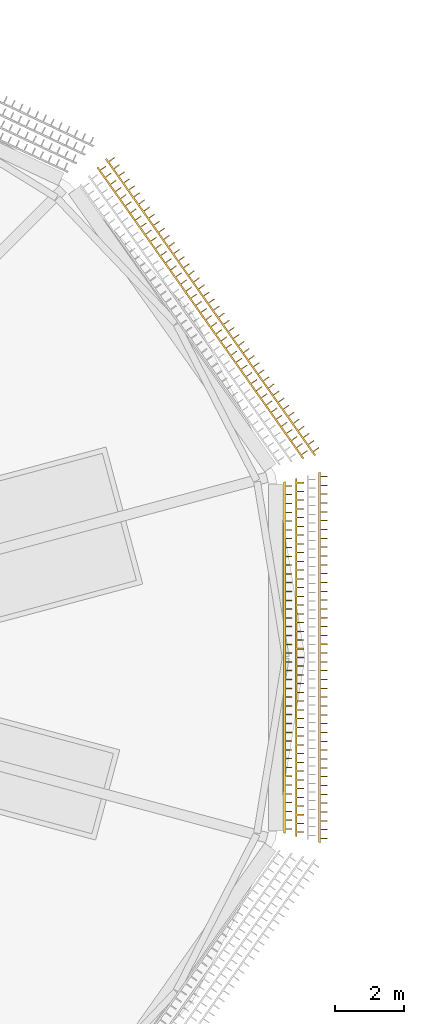
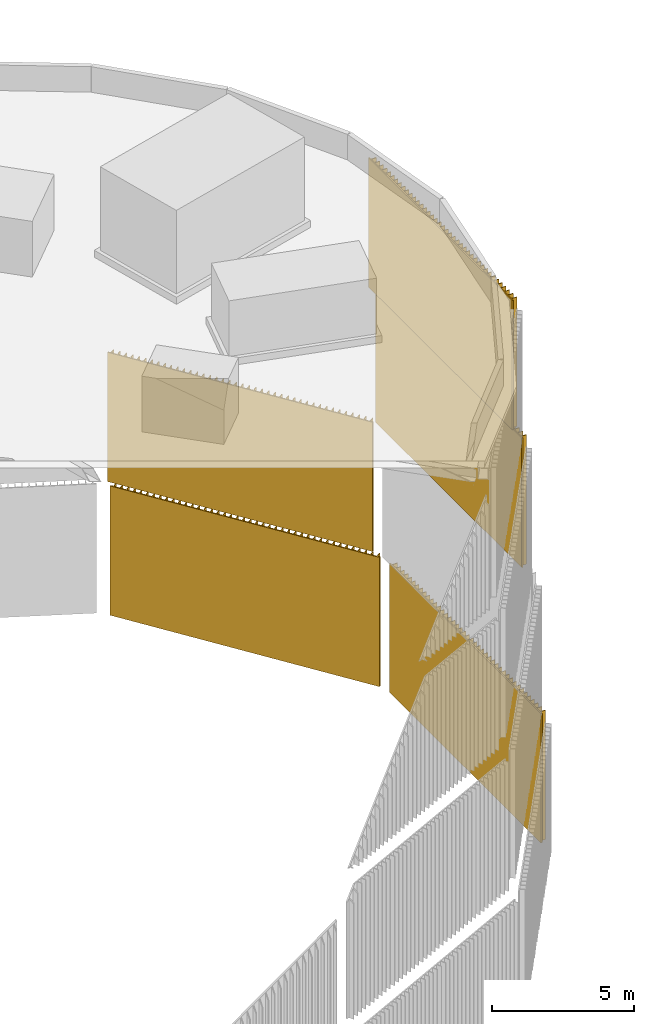
# One storey, part 9 of 24: 5 coverings.
"""IFC4 building model written with IfcOpenShell, lengths in metres."""

from ifc_helpers import new_model, si_unit, direction, frame, origin, place, context, subcontext, project, spatial, polyline, outline, extrude, material, type_object, element, save


model = new_model("IFC4")

# Units and contexts
model_context = context("Model", 3, precision=1e-05, world=origin(), true_north=direction((0.0, 1.0)))
body_context = subcontext(model_context, "Body", "Model", "MODEL_VIEW")
ifc_project = project(units=[si_unit("LENGTHUNIT", "METRE"), si_unit("AREAUNIT", "SQUARE_METRE"), si_unit("VOLUMEUNIT", "CUBIC_METRE"), si_unit("PLANEANGLEUNIT", "RADIAN"), si_unit("MASSUNIT", "GRAM", prefix="KILO")], contexts=[model_context])

# Site, building, storey
site_placement = place(None, origin())
site = spatial("IfcSite", under=ifc_project, at=site_placement, CompositionType="ELEMENT")
building_placement = place(site_placement, origin())
building = spatial("IfcBuilding", under=site, at=building_placement, Name="Rimbun Link Towers", CompositionType="ELEMENT")
storey_placement = place(building_placement, frame((0.0, 0.0, 294.89990234375)))
storey = spatial("IfcBuildingStorey", under=building, at=storey_placement, Name="Roof cap", CompositionType="ELEMENT", Elevation=294.89990234375)

# Coverings
ifc_material = material(Name="Terracotta", Category="masonry")
covering_type = type_object("IfcCoveringType", Name="TERRACOTTA CLADDING screen fins", PredefinedType="CLADDING", material=ifc_material)
covering_1_placement = place(storey_placement, frame((0.0, 0.0, -23.087890625)))
element("IfcCovering", 1, at=covering_1_placement, inside=storey, type_object=covering_type, Name="TERRACOTTA CLADDING screen", PredefinedType="CLADDING", context=body_context, shape_type="SweptSolid", body=[
    extrude(outline(polyline([(-10.90625, 5.847900390625), (-10.9697265625, 5.93798828125), (-10.806396484375, 6.05322265625), (-10.823486328125, 6.07763671875), (-10.987060546875, 5.96240234375), (-11.11376953125, 6.142333984375), (-10.9501953125, 6.257568359375), (-10.967529296875, 6.281982421875), (-11.131103515625, 6.1669921875), (-11.2578125, 6.3466796875), (-11.094482421875, 6.4619140625), (-11.11181640625, 6.486572265625), (-11.275146484375, 6.371337890625), (-11.40185546875, 6.55126953125), (-11.238525390625, 6.66650390625), (-11.255615234375, 6.69091796875), (-11.419189453125, 6.57568359375), (-11.5458984375, 6.755615234375), (-11.382568359375, 6.870849609375), (-11.39990234375, 6.8955078125), (-11.563232421875, 6.7802734375), (-11.690185546875, 6.960205078125), (-11.526611328125, 7.0751953125), (-11.5439453125, 7.099853515625), (-11.707275390625, 6.984619140625), (-11.833984375, 7.16455078125), (-11.670654296875, 7.27978515625), (-11.68798828125, 7.30419921875), (-11.851318359375, 7.18896484375), (-11.978271484375, 7.368896484375), (-11.814697265625, 7.484130859375), (-11.83203125, 7.508544921875), (-11.99560546875, 7.393310546875), (-12.122314453125, 7.5732421875), (-11.958740234375, 7.6884765625), (-11.97607421875, 7.713134765625), (-12.1396484375, 7.597900390625), (-12.266357421875, 7.77783203125), (-12.102783203125, 7.89306640625), (-12.1201171875, 7.91748046875), (-12.28369140625, 7.80224609375), (-12.410400390625, 7.982177734375), (-12.246826171875, 8.097412109375), (-12.26416015625, 8.121826171875), (-12.427734375, 8.006591796875), (-12.554443359375, 8.1865234375), (-12.39111328125, 8.3017578125), (-12.408203125, 8.326416015625), (-12.57177734375, 8.211181640625), (-12.698486328125, 8.39111328125), (-12.53515625, 8.506103515625), (-12.55224609375, 8.53076171875), (-12.7158203125, 8.41552734375), (-12.842529296875, 8.595458984375), (-12.67919921875, 8.710693359375), (-12.6962890625, 8.735107421875), (-12.85986328125, 8.619873046875), (-12.98681640625, 8.7998046875), (-12.8232421875, 8.9150390625), (-12.840576171875, 8.939697265625), (-13.00390625, 8.824462890625), (-13.130615234375, 9.00439453125), (-12.96728515625, 9.119384765625), (-12.984619140625, 9.14404296875), (-13.14794921875, 9.02880859375), (-13.27490234375, 9.208740234375), (-13.111328125, 9.323974609375), (-13.128662109375, 9.348388671875), (-13.2919921875, 9.233154296875), (-13.4189453125, 9.4130859375), (-13.25537109375, 9.5283203125), (-13.272705078125, 9.552734375), (-13.436279296875, 9.4375), (-13.56298828125, 9.617431640625), (-13.3994140625, 9.732666015625), (-13.416748046875, 9.75732421875), (-13.580078125, 9.64208984375), (-13.70703125, 9.822021484375), (-13.54345703125, 9.937255859375), (-13.560791015625, 9.961669921875), (-13.724365234375, 9.846435546875), (-13.85107421875, 10.0263671875), (-13.6875, 10.1416015625), (-13.704833984375, 10.166015625), (-13.868408203125, 10.05078125), (-13.9951171875, 10.230712890625), (-13.831787109375, 10.345947265625), (-13.848876953125, 10.37060546875), (-14.012451171875, 10.25537109375), (-14.13916015625, 10.435302734375), (-13.9755859375, 10.55029296875), (-13.992919921875, 10.574951171875), (-14.156494140625, 10.459716796875), (-14.283203125, 10.6396484375), (-14.119873046875, 10.7548828125), (-14.13720703125, 10.779296875), (-14.300537109375, 10.6640625), (-14.42724609375, 10.843994140625), (-14.263916015625, 10.959228515625), (-14.281005859375, 10.98388671875), (-14.444580078125, 10.86865234375), (-14.5712890625, 11.048583984375), (-14.407958984375, 11.163818359375), (-14.42529296875, 11.188232421875), (-14.588623046875, 11.072998046875), (-14.715576171875, 11.2529296875), (-14.552001953125, 11.3681640625), (-14.5693359375, 11.392578125), (-14.73291015625, 11.27734375), (-14.859619140625, 11.457275390625), (-14.696044921875, 11.572509765625), (-14.71337890625, 11.596923828125), (-14.876708984375, 11.481689453125), (-15.003662109375, 11.66162109375), (-14.840087890625, 11.77685546875), (-14.857421875, 11.801513671875), (-15.02099609375, 11.686279296875), (-15.147705078125, 11.8662109375), (-14.984130859375, 11.981201171875), (-15.00146484375, 12.005859375), (-15.1650390625, 11.890625), (-15.291748046875, 12.070556640625), (-15.12841796875, 12.185791015625), (-15.1455078125, 12.210205078125), (-15.30908203125, 12.09521484375), (-15.435791015625, 12.27490234375), (-15.272216796875, 12.39013671875), (-15.28955078125, 12.414794921875), (-15.453125, 12.299560546875), (-15.579833984375, 12.4794921875), (-15.41650390625, 12.594482421875), (-15.43359375, 12.619140625), (-15.59716796875, 12.50390625), (-15.72412109375, 12.683837890625), (-15.560546875, 12.799072265625), (-15.577880859375, 12.823486328125), (-15.7412109375, 12.708251953125), (-15.867919921875, 12.88818359375), (-15.70458984375, 13.00341796875), (-15.7216796875, 13.028076171875), (-15.88525390625, 12.91259765625), (-16.01220703125, 13.092529296875), (-15.8486328125, 13.2080078125), (-15.865966796875, 13.232421875), (-16.029296875, 13.1171875), (-16.15625, 13.297119140625), (-15.99267578125, 13.412353515625), (-16.010009765625, 13.436767578125), (-16.17333984375, 13.321533203125), (-16.30029296875, 13.50146484375), (-16.13671875, 13.61669921875), (-16.154052734375, 13.64111328125), (-16.3173828125, 13.52587890625), (-16.4443359375, 13.705810546875), (-16.28076171875, 13.821044921875), (-16.298095703125, 13.845703125), (-16.461669921875, 13.73046875), (-16.58837890625, 13.910400390625), (-16.4248046875, 14.025390625), (-16.442138671875, 14.050048828125), (-16.605712890625, 13.934814453125), (-16.732421875, 14.11474609375), (-16.56884765625, 14.22998046875), (-16.586181640625, 14.25439453125), (-16.749755859375, 14.139404296875), (-16.87646484375, 14.319091796875), (-16.712890625, 14.434326171875), (-16.730224609375, 14.458984375), (-16.893798828125, 14.34375), (-16.957275390625, 14.43359375), (-16.992919921875, 14.397705078125), (-10.957763671875, 5.834228515625), (-10.90625, 5.847900390625)])), origin(), (0.0, 0.0, 1.0), 5.575927734375),
])
covering_2_placement = place(storey_placement, frame((0.0, 0.0, -23.087890625)))
element("IfcCovering", 2, at=covering_2_placement, inside=storey, type_object=covering_type, Name="TERRACOTTA CLADDING screen", PredefinedType="CLADDING", context=body_context, shape_type="SweptSolid", body=[
    extrude(outline(polyline([(-10.7763671875, -5.35693359375), (-10.7763671875, -5.244384765625), (-10.576416015625, -5.244384765625), (-10.576416015625, -5.21435546875), (-10.7763671875, -5.21435546875), (-10.7763671875, -4.9892578125), (-10.576416015625, -4.9892578125), (-10.576416015625, -4.959228515625), (-10.7763671875, -4.959228515625), (-10.7763671875, -4.734130859375), (-10.576416015625, -4.734130859375), (-10.576416015625, -4.7041015625), (-10.7763671875, -4.7041015625), (-10.7763671875, -4.47900390625), (-10.576416015625, -4.47900390625), (-10.576416015625, -4.44921875), (-10.7763671875, -4.44921875), (-10.7763671875, -4.22412109375), (-10.576416015625, -4.22412109375), (-10.576416015625, -4.194091796875), (-10.7763671875, -4.194091796875), (-10.7763671875, -3.968994140625), (-10.576416015625, -3.968994140625), (-10.576416015625, -3.93896484375), (-10.7763671875, -3.93896484375), (-10.7763671875, -3.7138671875), (-10.576416015625, -3.7138671875), (-10.576416015625, -3.683837890625), (-10.7763671875, -3.683837890625), (-10.7763671875, -3.458740234375), (-10.576416015625, -3.458740234375), (-10.576416015625, -3.4287109375), (-10.7763671875, -3.4287109375), (-10.7763671875, -3.20361328125), (-10.576416015625, -3.20361328125), (-10.576416015625, -3.173583984375), (-10.7763671875, -3.173583984375), (-10.7763671875, -2.948486328125), (-10.576416015625, -2.948486328125), (-10.576416015625, -2.918701171875), (-10.7763671875, -2.918701171875), (-10.7763671875, -2.693603515625), (-10.576416015625, -2.693603515625), (-10.576416015625, -2.66357421875), (-10.7763671875, -2.66357421875), (-10.7763671875, -2.4384765625), (-10.576416015625, -2.4384765625), (-10.576416015625, -2.408447265625), (-10.7763671875, -2.408447265625), (-10.7763671875, -2.183349609375), (-10.576416015625, -2.183349609375), (-10.576416015625, -2.1533203125), (-10.7763671875, -2.1533203125), (-10.7763671875, -1.92822265625), (-10.576416015625, -1.92822265625), (-10.576416015625, -1.898193359375), (-10.7763671875, -1.898193359375), (-10.7763671875, -1.673095703125), (-10.576416015625, -1.673095703125), (-10.576416015625, -1.64306640625), (-10.7763671875, -1.64306640625), (-10.7763671875, -1.41796875), (-10.576416015625, -1.41796875), (-10.576416015625, -1.387939453125), (-10.7763671875, -1.387939453125), (-10.7763671875, -1.162841796875), (-10.576416015625, -1.162841796875), (-10.576416015625, -1.1328125), (-10.7763671875, -1.1328125), (-10.7763671875, -0.90771484375), (-10.576416015625, -0.90771484375), (-10.576416015625, -0.877685546875), (-10.7763671875, -0.877685546875), (-10.7763671875, -0.652587890625), (-10.576416015625, -0.652587890625), (-10.576416015625, -0.622802734375), (-10.7763671875, -0.622802734375), (-10.7763671875, -0.397705078125), (-10.576416015625, -0.397705078125), (-10.576416015625, -0.36767578125), (-10.7763671875, -0.36767578125), (-10.7763671875, -0.142578125), (-10.576416015625, -0.142578125), (-10.576416015625, -0.112548828125), (-10.7763671875, -0.112548828125), (-10.7763671875, 0.112548828125), (-10.576416015625, 0.112548828125), (-10.576416015625, 0.142578125), (-10.7763671875, 0.142578125), (-10.7763671875, 0.36767578125), (-10.576416015625, 0.36767578125), (-10.576416015625, 0.397705078125), (-10.7763671875, 0.397705078125), (-10.7763671875, 0.622802734375), (-10.576416015625, 0.622802734375), (-10.576416015625, 0.652587890625), (-10.7763671875, 0.652587890625), (-10.7763671875, 0.877685546875), (-10.576416015625, 0.877685546875), (-10.576416015625, 0.90771484375), (-10.7763671875, 0.90771484375), (-10.7763671875, 1.1328125), (-10.576416015625, 1.1328125), (-10.576416015625, 1.162841796875), (-10.7763671875, 1.162841796875), (-10.7763671875, 1.387939453125), (-10.576416015625, 1.387939453125), (-10.576416015625, 1.41796875), (-10.7763671875, 1.41796875), (-10.7763671875, 1.64306640625), (-10.576416015625, 1.64306640625), (-10.576416015625, 1.673095703125), (-10.7763671875, 1.673095703125), (-10.7763671875, 1.898193359375), (-10.576416015625, 1.898193359375), (-10.576416015625, 1.92822265625), (-10.7763671875, 1.92822265625), (-10.7763671875, 2.1533203125), (-10.576416015625, 2.1533203125), (-10.576416015625, 2.183349609375), (-10.7763671875, 2.183349609375), (-10.7763671875, 2.408447265625), (-10.576416015625, 2.408447265625), (-10.576416015625, 2.4384765625), (-10.7763671875, 2.4384765625), (-10.7763671875, 2.66357421875), (-10.576416015625, 2.66357421875), (-10.576416015625, 2.693603515625), (-10.7763671875, 2.693603515625), (-10.7763671875, 2.918701171875), (-10.576416015625, 2.918701171875), (-10.576416015625, 2.948486328125), (-10.7763671875, 2.948486328125), (-10.7763671875, 3.173583984375), (-10.576416015625, 3.173583984375), (-10.576416015625, 3.20361328125), (-10.7763671875, 3.20361328125), (-10.7763671875, 3.4287109375), (-10.576416015625, 3.4287109375), (-10.576416015625, 3.458740234375), (-10.7763671875, 3.458740234375), (-10.7763671875, 3.683837890625), (-10.576416015625, 3.683837890625), (-10.576416015625, 3.7138671875), (-10.7763671875, 3.7138671875), (-10.7763671875, 3.93896484375), (-10.576416015625, 3.93896484375), (-10.576416015625, 3.968994140625), (-10.7763671875, 3.968994140625), (-10.7763671875, 4.194091796875), (-10.576416015625, 4.194091796875), (-10.576416015625, 4.22412109375), (-10.7763671875, 4.22412109375), (-10.7763671875, 4.44921875), (-10.576416015625, 4.44921875), (-10.576416015625, 4.47900390625), (-10.7763671875, 4.47900390625), (-10.7763671875, 4.7041015625), (-10.576416015625, 4.7041015625), (-10.576416015625, 4.734130859375), (-10.7763671875, 4.734130859375), (-10.7763671875, 4.959228515625), (-10.576416015625, 4.959228515625), (-10.576416015625, 4.9892578125), (-10.7763671875, 4.9892578125), (-10.7763671875, 5.21435546875), (-10.576416015625, 5.21435546875), (-10.576416015625, 5.244384765625), (-10.7763671875, 5.244384765625), (-10.7763671875, 5.35693359375), (-10.826416015625, 5.343505859375), (-10.826416015625, -5.343505859375), (-10.7763671875, -5.35693359375)])), origin(), (0.0, 0.0, 1.0), 5.575927734375),
])
covering_3_placement = place(storey_placement, frame((0.0, 0.0, -17.087890625)))
element("IfcCovering", 3, at=covering_3_placement, inside=storey, type_object=covering_type, Name="TERRACOTTA CLADDING screen", PredefinedType="CLADDING", context=body_context, shape_type="SweptSolid", body=[
    extrude(outline(polyline([(-11.244384765625, 5.75732421875), (-11.308349609375, 5.847900390625), (-11.14501953125, 5.96337890625), (-11.162353515625, 5.988037109375), (-11.32568359375, 5.87255859375), (-11.453857421875, 6.0537109375), (-11.29052734375, 6.1689453125), (-11.307861328125, 6.193603515625), (-11.47119140625, 6.078125), (-11.59912109375, 6.259033203125), (-11.435791015625, 6.37451171875), (-11.453125, 6.399169921875), (-11.616455078125, 6.28369140625), (-11.744384765625, 6.464599609375), (-11.581298828125, 6.580078125), (-11.598388671875, 6.604736328125), (-11.76171875, 6.4892578125), (-11.889892578125, 6.67041015625), (-11.7265625, 6.785888671875), (-11.743896484375, 6.810302734375), (-11.9072265625, 6.69482421875), (-12.035400390625, 6.8759765625), (-11.8720703125, 6.9912109375), (-11.889404296875, 7.015869140625), (-12.052490234375, 6.900390625), (-12.1806640625, 7.081298828125), (-12.017333984375, 7.197021484375), (-12.03466796875, 7.221435546875), (-12.197998046875, 7.10595703125), (-12.325927734375, 7.287109375), (-12.16259765625, 7.402587890625), (-12.179931640625, 7.427001953125), (-12.34326171875, 7.3115234375), (-12.471435546875, 7.49267578125), (-12.30810546875, 7.608154296875), (-12.325439453125, 7.632568359375), (-12.48876953125, 7.51708984375), (-12.61669921875, 7.6982421875), (-12.453369140625, 7.813720703125), (-12.470703125, 7.838134765625), (-12.634033203125, 7.72265625), (-12.76220703125, 7.90380859375), (-12.598876953125, 8.019287109375), (-12.6162109375, 8.043701171875), (-12.779296875, 7.92822265625), (-12.907470703125, 8.109375), (-12.744140625, 8.224853515625), (-12.761474609375, 8.249267578125), (-12.9248046875, 8.1337890625), (-13.052978515625, 8.31494140625), (-12.8896484375, 8.430419921875), (-12.906982421875, 8.454833984375), (-13.0703125, 8.33935546875), (-13.1982421875, 8.5205078125), (-13.034912109375, 8.635986328125), (-13.05224609375, 8.660400390625), (-13.215576171875, 8.544921875), (-13.343505859375, 8.72607421875), (-13.180419921875, 8.841552734375), (-13.197509765625, 8.865966796875), (-13.36083984375, 8.75048828125), (-13.489013671875, 8.931640625), (-13.32568359375, 9.047119140625), (-13.343017578125, 9.071533203125), (-13.50634765625, 8.9560546875), (-13.634521484375, 9.13720703125), (-13.47119140625, 9.252685546875), (-13.48828125, 9.277099609375), (-13.651611328125, 9.16162109375), (-13.77978515625, 9.3427734375), (-13.616455078125, 9.458251953125), (-13.6337890625, 9.48291015625), (-13.797119140625, 9.3671875), (-13.925048828125, 9.54833984375), (-13.76171875, 9.663818359375), (-13.779052734375, 9.688232421875), (-13.9423828125, 9.572998046875), (-14.070556640625, 9.75390625), (-13.9072265625, 9.869384765625), (-13.924560546875, 9.893798828125), (-14.087890625, 9.7783203125), (-14.2158203125, 9.95947265625), (-14.052490234375, 10.074951171875), (-14.06982421875, 10.099609375), (-14.233154296875, 9.98388671875), (-14.361083984375, 10.1650390625), (-14.197998046875, 10.280517578125), (-14.21533203125, 10.30517578125), (-14.37841796875, 10.189697265625), (-14.506591796875, 10.37060546875), (-14.34326171875, 10.486083984375), (-14.360595703125, 10.5107421875), (-14.52392578125, 10.395263671875), (-14.652099609375, 10.576416015625), (-14.48876953125, 10.691650390625), (-14.506103515625, 10.71630859375), (-14.669189453125, 10.600830078125), (-14.79736328125, 10.78173828125), (-14.634033203125, 10.897216796875), (-14.6513671875, 10.921875), (-14.814697265625, 10.806396484375), (-14.942626953125, 10.9873046875), (-14.779296875, 11.102783203125), (-14.796630859375, 11.12744140625), (-14.9599609375, 11.011962890625), (-15.088134765625, 11.193115234375), (-14.9248046875, 11.30859375), (-14.942138671875, 11.3330078125), (-15.10546875, 11.217529296875), (-15.2333984375, 11.398681640625), (-15.0703125, 11.513916015625), (-15.08740234375, 11.53857421875), (-15.250732421875, 11.423095703125), (-15.37890625, 11.604248046875), (-15.215576171875, 11.719482421875), (-15.23291015625, 11.744140625), (-15.396240234375, 11.628662109375), (-15.524169921875, 11.809814453125), (-15.36083984375, 11.92529296875), (-15.378173828125, 11.94970703125), (-15.54150390625, 11.834228515625), (-15.669677734375, 12.015380859375), (-15.50634765625, 12.130859375), (-15.523681640625, 12.1552734375), (-15.68701171875, 12.039794921875), (-15.81494140625, 12.220947265625), (-15.651611328125, 12.33642578125), (-15.6689453125, 12.36083984375), (-15.832275390625, 12.245361328125), (-15.960205078125, 12.426513671875), (-15.797119140625, 12.5419921875), (-15.814453125, 12.56640625), (-15.977783203125, 12.450927734375), (-16.105712890625, 12.632080078125), (-15.9423828125, 12.74755859375), (-15.959716796875, 12.77197265625), (-16.123046875, 12.656494140625), (-16.251220703125, 12.837646484375), (-16.087890625, 12.953125), (-16.10498046875, 12.9775390625), (-16.268310546875, 12.862060546875), (-16.396484375, 13.043212890625), (-16.233154296875, 13.15869140625), (-16.25048828125, 13.18310546875), (-16.413818359375, 13.067626953125), (-16.541748046875, 13.248779296875), (-16.37841796875, 13.3642578125), (-16.39599609375, 13.388671875), (-16.55908203125, 13.273193359375), (-16.687255859375, 13.454345703125), (-16.52392578125, 13.56982421875), (-16.541259765625, 13.59423828125), (-16.70458984375, 13.478759765625), (-16.83251953125, 13.659912109375), (-16.669189453125, 13.775390625), (-16.6865234375, 13.7998046875), (-16.849853515625, 13.684326171875), (-16.97802734375, 13.865478515625), (-16.814697265625, 13.98095703125), (-16.83203125, 14.005615234375), (-16.995361328125, 13.889892578125), (-17.123291015625, 14.071044921875), (-16.9599609375, 14.1865234375), (-16.977294921875, 14.2109375), (-17.140625, 14.095703125), (-17.20458984375, 14.18603515625), (-17.240478515625, 14.150146484375), (-11.2958984375, 5.74365234375), (-11.244384765625, 5.75732421875)])), origin(), (0.0, 0.0, 1.0), 5.575927734375),
])
covering_4_placement = place(storey_placement, frame((0.0, 0.0, -11.087890625)))
element("IfcCovering", 4, at=covering_4_placement, inside=storey, type_object=covering_type, Name="TERRACOTTA CLADDING screen", PredefinedType="CLADDING", context=body_context, shape_type="SweptSolid", body=[
    extrude(outline(polyline([(-11.452392578125, -5.17578125), (-11.452392578125, -5.064453125), (-11.25244140625, -5.064453125), (-11.25244140625, -5.034423828125), (-11.452392578125, -5.034423828125), (-11.452392578125, -4.81201171875), (-11.25244140625, -4.81201171875), (-11.25244140625, -4.781982421875), (-11.452392578125, -4.781982421875), (-11.452392578125, -4.5595703125), (-11.25244140625, -4.5595703125), (-11.25244140625, -4.529541015625), (-11.452392578125, -4.529541015625), (-11.452392578125, -4.30712890625), (-11.25244140625, -4.30712890625), (-11.25244140625, -4.277099609375), (-11.452392578125, -4.277099609375), (-11.452392578125, -4.0546875), (-11.25244140625, -4.0546875), (-11.25244140625, -4.024658203125), (-11.452392578125, -4.024658203125), (-11.452392578125, -3.802001953125), (-11.25244140625, -3.802001953125), (-11.25244140625, -3.772216796875), (-11.452392578125, -3.772216796875), (-11.452392578125, -3.5498046875), (-11.25244140625, -3.5498046875), (-11.25244140625, -3.519775390625), (-11.452392578125, -3.519775390625), (-11.452392578125, -3.297119140625), (-11.25244140625, -3.297119140625), (-11.25244140625, -3.26708984375), (-11.452392578125, -3.26708984375), (-11.452392578125, -3.044677734375), (-11.25244140625, -3.044677734375), (-11.25244140625, -3.0146484375), (-11.452392578125, -3.0146484375), (-11.452392578125, -2.792236328125), (-11.25244140625, -2.792236328125), (-11.25244140625, -2.76220703125), (-11.452392578125, -2.76220703125), (-11.452392578125, -2.539794921875), (-11.25244140625, -2.539794921875), (-11.25244140625, -2.509765625), (-11.452392578125, -2.509765625), (-11.452392578125, -2.287353515625), (-11.25244140625, -2.287353515625), (-11.25244140625, -2.25732421875), (-11.452392578125, -2.25732421875), (-11.452392578125, -2.034912109375), (-11.25244140625, -2.034912109375), (-11.25244140625, -2.0048828125), (-11.452392578125, -2.0048828125), (-11.452392578125, -1.7822265625), (-11.25244140625, -1.7822265625), (-11.25244140625, -1.752197265625), (-11.452392578125, -1.752197265625), (-11.452392578125, -1.52978515625), (-11.25244140625, -1.52978515625), (-11.25244140625, -1.5), (-11.452392578125, -1.5), (-11.452392578125, -1.27734375), (-11.25244140625, -1.27734375), (-11.25244140625, -1.247314453125), (-11.452392578125, -1.247314453125), (-11.452392578125, -1.02490234375), (-11.25244140625, -1.02490234375), (-11.25244140625, -0.994873046875), (-11.452392578125, -0.994873046875), (-11.452392578125, -0.7724609375), (-11.25244140625, -0.7724609375), (-11.25244140625, -0.742431640625), (-11.452392578125, -0.742431640625), (-11.452392578125, -0.52001953125), (-11.25244140625, -0.52001953125), (-11.25244140625, -0.489990234375), (-11.452392578125, -0.489990234375), (-11.452392578125, -0.267578125), (-11.25244140625, -0.267578125), (-11.25244140625, -0.237548828125), (-11.452392578125, -0.237548828125), (-11.452392578125, -0.014892578125), (-11.25244140625, -0.014892578125), (-11.25244140625, 0.014892578125), (-11.452392578125, 0.014892578125), (-11.452392578125, 0.237548828125), (-11.25244140625, 0.237548828125), (-11.25244140625, 0.267578125), (-11.452392578125, 0.267578125), (-11.452392578125, 0.489990234375), (-11.25244140625, 0.489990234375), (-11.25244140625, 0.52001953125), (-11.452392578125, 0.52001953125), (-11.452392578125, 0.742431640625), (-11.25244140625, 0.742431640625), (-11.25244140625, 0.7724609375), (-11.452392578125, 0.7724609375), (-11.452392578125, 0.994873046875), (-11.25244140625, 0.994873046875), (-11.25244140625, 1.02490234375), (-11.452392578125, 1.02490234375), (-11.452392578125, 1.247314453125), (-11.25244140625, 1.247314453125), (-11.25244140625, 1.27734375), (-11.452392578125, 1.27734375), (-11.452392578125, 1.5), (-11.25244140625, 1.5), (-11.25244140625, 1.52978515625), (-11.452392578125, 1.52978515625), (-11.452392578125, 1.752197265625), (-11.25244140625, 1.752197265625), (-11.25244140625, 1.7822265625), (-11.452392578125, 1.7822265625), (-11.452392578125, 2.0048828125), (-11.25244140625, 2.0048828125), (-11.25244140625, 2.034912109375), (-11.452392578125, 2.034912109375), (-11.452392578125, 2.25732421875), (-11.25244140625, 2.25732421875), (-11.25244140625, 2.287353515625), (-11.452392578125, 2.287353515625), (-11.452392578125, 2.509765625), (-11.25244140625, 2.509765625), (-11.25244140625, 2.539794921875), (-11.452392578125, 2.539794921875), (-11.452392578125, 2.76220703125), (-11.25244140625, 2.76220703125), (-11.25244140625, 2.792236328125), (-11.452392578125, 2.792236328125), (-11.452392578125, 3.0146484375), (-11.25244140625, 3.0146484375), (-11.25244140625, 3.044677734375), (-11.452392578125, 3.044677734375), (-11.452392578125, 3.26708984375), (-11.25244140625, 3.26708984375), (-11.25244140625, 3.297119140625), (-11.452392578125, 3.297119140625), (-11.452392578125, 3.519775390625), (-11.25244140625, 3.519775390625), (-11.25244140625, 3.5498046875), (-11.452392578125, 3.5498046875), (-11.452392578125, 3.772216796875), (-11.25244140625, 3.772216796875), (-11.25244140625, 3.802001953125), (-11.452392578125, 3.802001953125), (-11.452392578125, 4.024658203125), (-11.25244140625, 4.024658203125), (-11.25244140625, 4.0546875), (-11.452392578125, 4.0546875), (-11.452392578125, 4.277099609375), (-11.25244140625, 4.277099609375), (-11.25244140625, 4.30712890625), (-11.452392578125, 4.30712890625), (-11.452392578125, 4.529541015625), (-11.25244140625, 4.529541015625), (-11.25244140625, 4.5595703125), (-11.452392578125, 4.5595703125), (-11.452392578125, 4.781982421875), (-11.25244140625, 4.781982421875), (-11.25244140625, 4.81201171875), (-11.452392578125, 4.81201171875), (-11.452392578125, 5.034423828125), (-11.25244140625, 5.034423828125), (-11.25244140625, 5.064453125), (-11.452392578125, 5.064453125), (-11.452392578125, 5.17578125), (-11.50244140625, 5.162353515625), (-11.50244140625, -5.162353515625), (-11.452392578125, -5.17578125)])), origin(), (0.0, 0.0, 1.0), 5.575927734375),
])
covering_5_placement = place(storey_placement, frame((0.0, 0.0, -5.087890625)))
element("IfcCovering", 5, at=covering_5_placement, inside=storey, type_object=covering_type, Name="TERRACOTTA CLADDING screen", PredefinedType="CLADDING", context=body_context, shape_type="SweptSolid", body=[
    extrude(outline(polyline([(-11.79052734375, -5.085205078125), (-11.79052734375, -4.972900390625), (-11.590576171875, -4.972900390625), (-11.590576171875, -4.943115234375), (-11.79052734375, -4.943115234375), (-11.79052734375, -4.71875), (-11.590576171875, -4.71875), (-11.590576171875, -4.688720703125), (-11.79052734375, -4.688720703125), (-11.79052734375, -4.464599609375), (-11.590576171875, -4.464599609375), (-11.590576171875, -4.4345703125), (-11.79052734375, -4.4345703125), (-11.79052734375, -4.210205078125), (-11.590576171875, -4.210205078125), (-11.590576171875, -4.180419921875), (-11.79052734375, -4.180419921875), (-11.79052734375, -3.9560546875), (-11.590576171875, -3.9560546875), (-11.590576171875, -3.926025390625), (-11.79052734375, -3.926025390625), (-11.79052734375, -3.70166015625), (-11.590576171875, -3.70166015625), (-11.590576171875, -3.671630859375), (-11.79052734375, -3.671630859375), (-11.79052734375, -3.447509765625), (-11.590576171875, -3.447509765625), (-11.590576171875, -3.41748046875), (-11.79052734375, -3.41748046875), (-11.79052734375, -3.193115234375), (-11.590576171875, -3.193115234375), (-11.590576171875, -3.1630859375), (-11.79052734375, -3.1630859375), (-11.79052734375, -2.93896484375), (-11.590576171875, -2.93896484375), (-11.590576171875, -2.908935546875), (-11.79052734375, -2.908935546875), (-11.79052734375, -2.684814453125), (-11.590576171875, -2.684814453125), (-11.590576171875, -2.65478515625), (-11.79052734375, -2.65478515625), (-11.79052734375, -2.430419921875), (-11.590576171875, -2.430419921875), (-11.590576171875, -2.400390625), (-11.79052734375, -2.400390625), (-11.79052734375, -2.17626953125), (-11.590576171875, -2.17626953125), (-11.590576171875, -2.146240234375), (-11.79052734375, -2.146240234375), (-11.79052734375, -1.921875), (-11.590576171875, -1.921875), (-11.590576171875, -1.891845703125), (-11.79052734375, -1.891845703125), (-11.79052734375, -1.667724609375), (-11.590576171875, -1.667724609375), (-11.590576171875, -1.6376953125), (-11.79052734375, -1.6376953125), (-11.79052734375, -1.413330078125), (-11.590576171875, -1.413330078125), (-11.590576171875, -1.38330078125), (-11.79052734375, -1.38330078125), (-11.79052734375, -1.1591796875), (-11.590576171875, -1.1591796875), (-11.590576171875, -1.129150390625), (-11.79052734375, -1.129150390625), (-11.79052734375, -0.90478515625), (-11.590576171875, -0.90478515625), (-11.590576171875, -0.875), (-11.79052734375, -0.875), (-11.79052734375, -0.650634765625), (-11.590576171875, -0.650634765625), (-11.590576171875, -0.62060546875), (-11.79052734375, -0.62060546875), (-11.79052734375, -0.396484375), (-11.590576171875, -0.396484375), (-11.590576171875, -0.366455078125), (-11.79052734375, -0.366455078125), (-11.79052734375, -0.14208984375), (-11.590576171875, -0.14208984375), (-11.590576171875, -0.112060546875), (-11.79052734375, -0.112060546875), (-11.79052734375, 0.112060546875), (-11.590576171875, 0.112060546875), (-11.590576171875, 0.14208984375), (-11.79052734375, 0.14208984375), (-11.79052734375, 0.366455078125), (-11.590576171875, 0.366455078125), (-11.590576171875, 0.396484375), (-11.79052734375, 0.396484375), (-11.79052734375, 0.62060546875), (-11.590576171875, 0.62060546875), (-11.590576171875, 0.650634765625), (-11.79052734375, 0.650634765625), (-11.79052734375, 0.875), (-11.590576171875, 0.875), (-11.590576171875, 0.90478515625), (-11.79052734375, 0.90478515625), (-11.79052734375, 1.129150390625), (-11.590576171875, 1.129150390625), (-11.590576171875, 1.1591796875), (-11.79052734375, 1.1591796875), (-11.79052734375, 1.38330078125), (-11.590576171875, 1.38330078125), (-11.590576171875, 1.413330078125), (-11.79052734375, 1.413330078125), (-11.79052734375, 1.6376953125), (-11.590576171875, 1.6376953125), (-11.590576171875, 1.667724609375), (-11.79052734375, 1.667724609375), (-11.79052734375, 1.891845703125), (-11.590576171875, 1.891845703125), (-11.590576171875, 1.921875), (-11.79052734375, 1.921875), (-11.79052734375, 2.146240234375), (-11.590576171875, 2.146240234375), (-11.590576171875, 2.17626953125), (-11.79052734375, 2.17626953125), (-11.79052734375, 2.400390625), (-11.590576171875, 2.400390625), (-11.590576171875, 2.430419921875), (-11.79052734375, 2.430419921875), (-11.79052734375, 2.65478515625), (-11.590576171875, 2.65478515625), (-11.590576171875, 2.684814453125), (-11.79052734375, 2.684814453125), (-11.79052734375, 2.908935546875), (-11.590576171875, 2.908935546875), (-11.590576171875, 2.93896484375), (-11.79052734375, 2.93896484375), (-11.79052734375, 3.1630859375), (-11.590576171875, 3.1630859375), (-11.590576171875, 3.193115234375), (-11.79052734375, 3.193115234375), (-11.79052734375, 3.41748046875), (-11.590576171875, 3.41748046875), (-11.590576171875, 3.447509765625), (-11.79052734375, 3.447509765625), (-11.79052734375, 3.671630859375), (-11.590576171875, 3.671630859375), (-11.590576171875, 3.70166015625), (-11.79052734375, 3.70166015625), (-11.79052734375, 3.926025390625), (-11.590576171875, 3.926025390625), (-11.590576171875, 3.9560546875), (-11.79052734375, 3.9560546875), (-11.79052734375, 4.180419921875), (-11.590576171875, 4.180419921875), (-11.590576171875, 4.210205078125), (-11.79052734375, 4.210205078125), (-11.79052734375, 4.4345703125), (-11.590576171875, 4.4345703125), (-11.590576171875, 4.464599609375), (-11.79052734375, 4.464599609375), (-11.79052734375, 4.688720703125), (-11.590576171875, 4.688720703125), (-11.590576171875, 4.71875), (-11.79052734375, 4.71875), (-11.79052734375, 4.943115234375), (-11.590576171875, 4.943115234375), (-11.590576171875, 4.972900390625), (-11.79052734375, 4.972900390625), (-11.79052734375, 5.085205078125), (-11.840576171875, 5.07177734375), (-11.840576171875, -5.07177734375), (-11.79052734375, -5.085205078125)])), origin(), (0.0, 0.0, 1.0), 5.575927734375),
])

save(model, "model.ifc")
